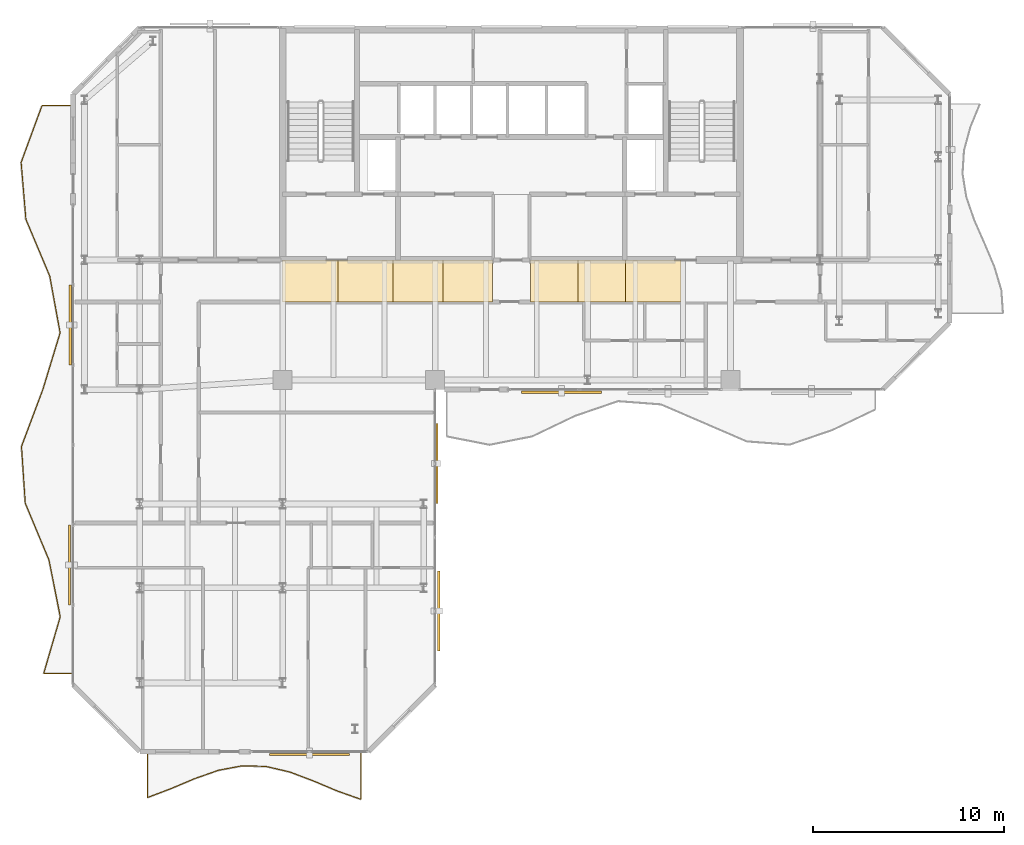
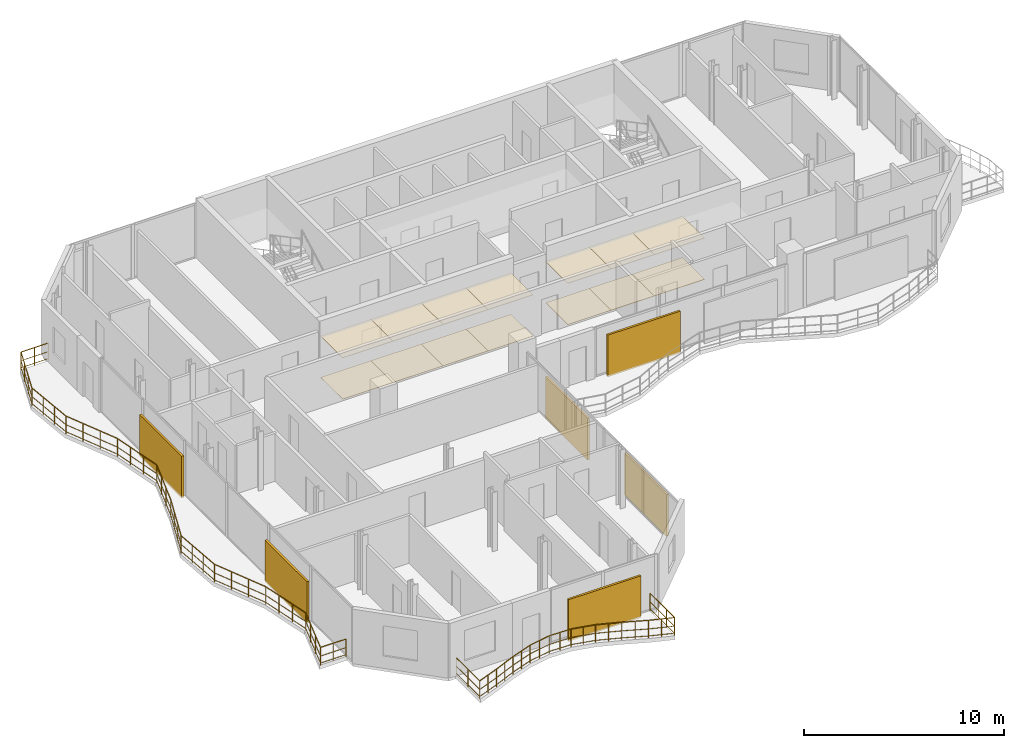
# One storey, part 21 of 23: 14 coverings, 6 shading devices, 2 railings.
"""IFC4 building model written with IfcOpenShell, lengths in metres."""

from ifc_helpers import new_model, si_unit, direction, frame, origin, origin_2d, place, context, subcontext, project, spatial, polyline, rectangle, circle, outline, extrude, material, layer, layer_set, type_object, element, save


model = new_model("IFC4")

# Units and contexts
model_context = context("Model", 3, precision=1e-05, world=origin(), true_north=direction((0.0, 1.0)))
body_context = subcontext(model_context, "Body", "Model", "MODEL_VIEW")
ifc_project = project(units=[si_unit("LENGTHUNIT", "METRE"), si_unit("AREAUNIT", "SQUARE_METRE"), si_unit("VOLUMEUNIT", "CUBIC_METRE"), si_unit("PLANEANGLEUNIT", "RADIAN"), si_unit("MASSUNIT", "GRAM", prefix="KILO")], contexts=[model_context])

# Site, building, storey
site_placement = place(None, origin())
site = spatial("IfcSite", under=ifc_project, at=site_placement, CompositionType="ELEMENT")
building_placement = place(site_placement, origin())
building = spatial("IfcBuilding", under=site, at=building_placement, Name="Catumbela Crestline Tower", CompositionType="ELEMENT")
storey_placement = place(building_placement, frame((0.0, 0.0, 193.8)))
storey = spatial("IfcBuildingStorey", under=building, at=storey_placement, Name="L50", CompositionType="ELEMENT", Elevation=193.8)

# Coverings
ifc_material_1 = material(Name="Mineral-fibre acoustic ceiling")
ifc_layer_1 = layer(ifc_material_1, 0.03, Name="Mineral-fibre acoustic ceiling")
ifc_layer_set_1 = layer_set([ifc_layer_1], Name="Mineral-fibre acoustic ceiling")
covering_type_1 = type_object("IfcCoveringType", Name="CC-AC", PredefinedType="CEILING", material=ifc_layer_set_1)
covering_1_placement = place(storey_placement, frame((0.0, 0.0, 2.52)))
element("IfcCovering", 1, at=covering_1_placement, inside=storey, type_object=covering_type_1, Name="L50 Corridor Acoustic Ceiling Bay 1", PredefinedType="CEILING", context=body_context, shape_type="SweptSolid", body=[
    extrude(outline(polyline([(16.0, 28.6), (18.9, 28.6), (18.9, 30.8), (16.0, 30.8), (16.0, 28.6)])), origin(), (0.0, 0.0, 1.0), 0.03),
])
covering_2_placement = place(storey_placement, frame((0.0, 0.0, 2.52)))
element("IfcCovering", 2, at=covering_2_placement, inside=storey, type_object=covering_type_1, Name="L50 Corridor Acoustic Ceiling Bay 2", PredefinedType="CEILING", context=body_context, shape_type="SweptSolid", body=[
    extrude(outline(polyline([(18.9, 28.6), (21.8, 28.6), (21.8, 30.8), (18.9, 30.8), (18.9, 28.6)])), origin(), (0.0, 0.0, 1.0), 0.03),
])
covering_3_placement = place(storey_placement, frame((0.0, 0.0, 2.52)))
element("IfcCovering", 3, at=covering_3_placement, inside=storey, type_object=covering_type_1, Name="L50 Corridor Acoustic Ceiling Bay 3", PredefinedType="CEILING", context=body_context, shape_type="SweptSolid", body=[
    extrude(outline(polyline([(21.8, 28.6), (24.4, 28.6), (24.4, 30.8), (21.8, 30.8), (21.8, 28.6)])), origin(), (0.0, 0.0, 1.0), 0.03),
])
covering_4_placement = place(storey_placement, frame((0.0, 0.0, 2.52)))
element("IfcCovering", 4, at=covering_4_placement, inside=storey, type_object=covering_type_1, Name="L50 Corridor Acoustic Ceiling Bay 4", PredefinedType="CEILING", context=body_context, shape_type="SweptSolid", body=[
    extrude(outline(polyline([(24.4, 28.6), (27.0, 28.6), (27.0, 30.8), (24.4, 30.8), (24.4, 28.6)])), origin(), (0.0, 0.0, 1.0), 0.03),
])
covering_5_placement = place(storey_placement, frame((0.0, 0.0, 2.52)))
element("IfcCovering", 5, at=covering_5_placement, inside=storey, type_object=covering_type_1, Name="L50 Corridor Acoustic Ceiling Bay 5", PredefinedType="CEILING", context=body_context, shape_type="SweptSolid", body=[
    extrude(outline(polyline([(29.0, 28.6), (31.5, 28.6), (31.5, 30.8), (29.0, 30.8), (29.0, 28.6)])), origin(), (0.0, 0.0, 1.0), 0.03),
])
covering_6_placement = place(storey_placement, frame((0.0, 0.0, 2.52)))
element("IfcCovering", 6, at=covering_6_placement, inside=storey, type_object=covering_type_1, Name="L50 Corridor Acoustic Ceiling Bay 6", PredefinedType="CEILING", context=body_context, shape_type="SweptSolid", body=[
    extrude(outline(polyline([(31.5, 28.6), (34.0, 28.6), (34.0, 30.8), (31.5, 30.8), (31.5, 28.6)])), origin(), (0.0, 0.0, 1.0), 0.03),
])
covering_7_placement = place(storey_placement, frame((0.0, 0.0, 2.52)))
element("IfcCovering", 7, at=covering_7_placement, inside=storey, type_object=covering_type_1, Name="L50 Corridor Acoustic Ceiling Bay 7", PredefinedType="CEILING", context=body_context, shape_type="SweptSolid", body=[
    extrude(outline(polyline([(34.0, 28.6), (36.9, 28.6), (36.9, 30.8), (34.0, 30.8), (34.0, 28.6)])), origin(), (0.0, 0.0, 1.0), 0.03),
])
ifc_material_2 = material(Name="Angolan grey-ochre granite", Category="masonry")
ifc_layer_2 = layer(ifc_material_2, 0.025, Name="Angolan grey-ochre granite")
ifc_layer_set_2 = layer_set([ifc_layer_2], Name="Angolan grey-ochre granite")
covering_type_2 = type_object("IfcCoveringType", Name="CF-GR", PredefinedType="FLOORING", material=ifc_layer_set_2)
covering_8_placement = place(storey_placement, origin())
element("IfcCovering", 8, at=covering_8_placement, inside=storey, type_object=covering_type_2, Name="L50 Corridor Granite Flooring Bay 1", PredefinedType="FLOORING", context=body_context, shape_type="SweptSolid", body=[
    extrude(outline(polyline([(16.0, 28.6), (18.9, 28.6), (18.9, 30.8), (16.0, 30.8), (16.0, 28.6)])), origin(), (0.0, 0.0, 1.0), 0.025),
])
covering_9_placement = place(storey_placement, origin())
element("IfcCovering", 9, at=covering_9_placement, inside=storey, type_object=covering_type_2, Name="L50 Corridor Granite Flooring Bay 2", PredefinedType="FLOORING", context=body_context, shape_type="SweptSolid", body=[
    extrude(outline(polyline([(18.9, 28.6), (21.8, 28.6), (21.8, 30.8), (18.9, 30.8), (18.9, 28.6)])), origin(), (0.0, 0.0, 1.0), 0.025),
])
covering_10_placement = place(storey_placement, origin())
element("IfcCovering", 10, at=covering_10_placement, inside=storey, type_object=covering_type_2, Name="L50 Corridor Granite Flooring Bay 3", PredefinedType="FLOORING", context=body_context, shape_type="SweptSolid", body=[
    extrude(outline(polyline([(21.8, 28.6), (24.4, 28.6), (24.4, 30.8), (21.8, 30.8), (21.8, 28.6)])), origin(), (0.0, 0.0, 1.0), 0.025),
])
covering_11_placement = place(storey_placement, origin())
element("IfcCovering", 11, at=covering_11_placement, inside=storey, type_object=covering_type_2, Name="L50 Corridor Granite Flooring Bay 4", PredefinedType="FLOORING", context=body_context, shape_type="SweptSolid", body=[
    extrude(outline(polyline([(24.4, 28.6), (27.0, 28.6), (27.0, 30.8), (24.4, 30.8), (24.4, 28.6)])), origin(), (0.0, 0.0, 1.0), 0.025),
])
covering_12_placement = place(storey_placement, origin())
element("IfcCovering", 12, at=covering_12_placement, inside=storey, type_object=covering_type_2, Name="L50 Corridor Granite Flooring Bay 5", PredefinedType="FLOORING", context=body_context, shape_type="SweptSolid", body=[
    extrude(outline(polyline([(29.0, 28.6), (31.5, 28.6), (31.5, 30.8), (29.0, 30.8), (29.0, 28.6)])), origin(), (0.0, 0.0, 1.0), 0.025),
])
covering_13_placement = place(storey_placement, origin())
element("IfcCovering", 13, at=covering_13_placement, inside=storey, type_object=covering_type_2, Name="L50 Corridor Granite Flooring Bay 6", PredefinedType="FLOORING", context=body_context, shape_type="SweptSolid", body=[
    extrude(outline(polyline([(31.5, 28.6), (34.0, 28.6), (34.0, 30.8), (31.5, 30.8), (31.5, 28.6)])), origin(), (0.0, 0.0, 1.0), 0.025),
])
covering_14_placement = place(storey_placement, origin())
element("IfcCovering", 14, at=covering_14_placement, inside=storey, type_object=covering_type_2, Name="L50 Corridor Granite Flooring Bay 7", PredefinedType="FLOORING", context=body_context, shape_type="SweptSolid", body=[
    extrude(outline(polyline([(34.0, 28.6), (36.9, 28.6), (36.9, 30.8), (34.0, 30.8), (34.0, 28.6)])), origin(), (0.0, 0.0, 1.0), 0.025),
])

# Railings
ifc_material_3 = material(Name="Stainless steel EN 1.4401", Category="steel")
railing_type = type_object("IfcRailingType", Name="RB-1100", PredefinedType="BALUSTRADE", material=ifc_material_3)
railing_1_placement = place(storey_placement, frame((8.9, 4.94, 0.0)))
element("IfcRailing", 15, at=railing_1_placement, inside=storey, type_object=railing_type, Name="L50 Private Wave Balcony Balustrade 3", PredefinedType="BALUSTRADE", context=body_context, shape_type="SweptSolid", body=[
    extrude(circle(Radius=0.024, at=origin_2d()), frame((0.0, 0.0, 1.076), z_axis=(0.0, -1.0, 0.0), x_axis=(1.0, 0.0, 0.0)), (0.0, 0.0, 1.0), 2.3474),
    extrude(circle(Radius=0.0156, at=origin_2d()), frame((0.0, 0.0, 0.55), z_axis=(0.0, -1.0, 0.0), x_axis=(1.0, 0.0, 0.0)), (0.0, 0.0, 1.0), 2.3474),
    extrude(circle(Radius=0.0156, at=origin_2d()), frame((0.0, 0.0, 0.12), z_axis=(0.0, -1.0, 0.0), x_axis=(1.0, 0.0, 0.0)), (0.0, 0.0, 1.0), 2.3474),
    extrude(circle(Radius=0.024, at=origin_2d()), frame((0.0, -2.3474, 1.076), z_axis=(0.934801539035, 0.355170497955, 0.0), x_axis=(-0.355170497955, 0.934801539035, 0.0)), (0.0, 0.0, 1.0), 1.3312),
    extrude(circle(Radius=0.0156, at=origin_2d()), frame((0.0, -2.3474, 0.55), z_axis=(0.934801539035, 0.355170497955, 0.0), x_axis=(-0.355170497955, 0.934801539035, 0.0)), (0.0, 0.0, 1.0), 1.3312),
    extrude(circle(Radius=0.0156, at=origin_2d()), frame((0.0, -2.3474, 0.12), z_axis=(0.934801539035, 0.355170497955, 0.0), x_axis=(-0.355170497955, 0.934801539035, 0.0)), (0.0, 0.0, 1.0), 1.3312),
    extrude(circle(Radius=0.024, at=origin_2d()), frame((1.2444, -1.8746, 1.076), z_axis=(0.921529408365, 0.388308575128, 0.0), x_axis=(-0.388308575128, 0.921529408365, 0.0)), (0.0, 0.0, 1.0), 1.3505),
    extrude(circle(Radius=0.0156, at=origin_2d()), frame((1.2444, -1.8746, 0.55), z_axis=(0.921529408365, 0.388308575128, 0.0), x_axis=(-0.388308575128, 0.921529408365, 0.0)), (0.0, 0.0, 1.0), 1.3505),
    extrude(circle(Radius=0.0156, at=origin_2d()), frame((1.2444, -1.8746, 0.12), z_axis=(0.921529408365, 0.388308575128, 0.0), x_axis=(-0.388308575128, 0.921529408365, 0.0)), (0.0, 0.0, 1.0), 1.3505),
    extrude(circle(Radius=0.024, at=origin_2d()), frame((2.4889, -1.3502, 1.076), z_axis=(0.943536380972, 0.331268920642, 0.0), x_axis=(-0.331268920642, 0.943536380972, 0.0)), (0.0, 0.0, 1.0), 1.3189),
    extrude(circle(Radius=0.0156, at=origin_2d()), frame((2.4889, -1.3502, 0.55), z_axis=(0.943536380972, 0.331268920642, 0.0), x_axis=(-0.331268920642, 0.943536380972, 0.0)), (0.0, 0.0, 1.0), 1.3189),
    extrude(circle(Radius=0.0156, at=origin_2d()), frame((2.4889, -1.3502, 0.12), z_axis=(0.943536380972, 0.331268920642, 0.0), x_axis=(-0.331268920642, 0.943536380972, 0.0)), (0.0, 0.0, 1.0), 1.3189),
    extrude(circle(Radius=0.024, at=origin_2d()), frame((3.7333, -0.9133, 1.076), z_axis=(0.982892745139, 0.184178857506, 0.0), x_axis=(-0.184178857506, 0.982892745139, 0.0)), (0.0, 0.0, 1.0), 1.2662),
    extrude(circle(Radius=0.0156, at=origin_2d()), frame((3.7333, -0.9133, 0.55), z_axis=(0.982892745139, 0.184178857506, 0.0), x_axis=(-0.184178857506, 0.982892745139, 0.0)), (0.0, 0.0, 1.0), 1.2662),
    extrude(circle(Radius=0.0156, at=origin_2d()), frame((3.7333, -0.9133, 0.12), z_axis=(0.982892745139, 0.184178857506, 0.0), x_axis=(-0.184178857506, 0.982892745139, 0.0)), (0.0, 0.0, 1.0), 1.2662),
    extrude(circle(Radius=0.024, at=origin_2d()), frame((4.9778, -0.6801, 1.076), z_axis=(0.999661218817, -0.026027823441, 0.0), x_axis=(0.026027823441, 0.999661218817, 0.0)), (0.0, 0.0, 1.0), 1.2448),
    extrude(circle(Radius=0.0156, at=origin_2d()), frame((4.9778, -0.6801, 0.55), z_axis=(0.999661218817, -0.026027823441, 0.0), x_axis=(0.026027823441, 0.999661218817, 0.0)), (0.0, 0.0, 1.0), 1.2448),
    extrude(circle(Radius=0.0156, at=origin_2d()), frame((4.9778, -0.6801, 0.12), z_axis=(0.999661218817, -0.026027823441, 0.0), x_axis=(0.026027823441, 0.999661218817, 0.0)), (0.0, 0.0, 1.0), 1.2448),
    extrude(circle(Radius=0.024, at=origin_2d()), frame((6.2222, -0.7125, 1.076), z_axis=(0.974011239471, -0.226499680758, 0.0), x_axis=(0.226499680758, 0.974011239471, 0.0)), (0.0, 0.0, 1.0), 1.2777),
    extrude(circle(Radius=0.0156, at=origin_2d()), frame((6.2222, -0.7125, 0.55), z_axis=(0.974011239471, -0.226499680758, 0.0), x_axis=(0.226499680758, 0.974011239471, 0.0)), (0.0, 0.0, 1.0), 1.2777),
    extrude(circle(Radius=0.0156, at=origin_2d()), frame((6.2222, -0.7125, 0.12), z_axis=(0.974011239471, -0.226499680758, 0.0), x_axis=(0.226499680758, 0.974011239471, 0.0)), (0.0, 0.0, 1.0), 1.2777),
    extrude(circle(Radius=0.024, at=origin_2d()), frame((7.4667, -1.0019, 1.076), z_axis=(0.935622804223, -0.35300137141, 0.0), x_axis=(0.35300137141, 0.935622804223, 0.0)), (0.0, 0.0, 1.0), 1.33),
    extrude(circle(Radius=0.0156, at=origin_2d()), frame((7.4667, -1.0019, 0.55), z_axis=(0.935622804223, -0.35300137141, 0.0), x_axis=(0.35300137141, 0.935622804223, 0.0)), (0.0, 0.0, 1.0), 1.33),
    extrude(circle(Radius=0.0156, at=origin_2d()), frame((7.4667, -1.0019, 0.12), z_axis=(0.935622804223, -0.35300137141, 0.0), x_axis=(0.35300137141, 0.935622804223, 0.0)), (0.0, 0.0, 1.0), 1.33),
    extrude(circle(Radius=0.024, at=origin_2d()), frame((8.7111, -1.4714, 1.076), z_axis=(0.921396887645, -0.388622921916, 0.0), x_axis=(0.388622921916, 0.921396887645, 0.0)), (0.0, 0.0, 1.0), 1.3507),
    extrude(circle(Radius=0.0156, at=origin_2d()), frame((8.7111, -1.4714, 0.55), z_axis=(0.921396887645, -0.388622921916, 0.0), x_axis=(0.388622921916, 0.921396887645, 0.0)), (0.0, 0.0, 1.0), 1.3507),
    extrude(circle(Radius=0.0156, at=origin_2d()), frame((8.7111, -1.4714, 0.12), z_axis=(0.921396887645, -0.388622921916, 0.0), x_axis=(0.388622921916, 0.921396887645, 0.0)), (0.0, 0.0, 1.0), 1.3507),
    extrude(circle(Radius=0.024, at=origin_2d()), frame((9.9556, -1.9963, 1.076), z_axis=(0.94258550336, -0.333964921594, 0.0), x_axis=(0.333964921594, 0.94258550336, 0.0)), (0.0, 0.0, 1.0), 1.3202),
    extrude(circle(Radius=0.0156, at=origin_2d()), frame((9.9556, -1.9963, 0.55), z_axis=(0.94258550336, -0.333964921594, 0.0), x_axis=(0.333964921594, 0.94258550336, 0.0)), (0.0, 0.0, 1.0), 1.3202),
    extrude(circle(Radius=0.0156, at=origin_2d()), frame((9.9556, -1.9963, 0.12), z_axis=(0.94258550336, -0.333964921594, 0.0), x_axis=(0.333964921594, 0.94258550336, 0.0)), (0.0, 0.0, 1.0), 1.3202),
    extrude(circle(Radius=0.024, at=origin_2d()), frame((11.2, -2.4372, 1.076), z_axis=(0.0, 1.0, 0.0), x_axis=(-1.0, 0.0, 0.0)), (0.0, 0.0, 1.0), 2.4372),
    extrude(circle(Radius=0.0156, at=origin_2d()), frame((11.2, -2.4372, 0.55), z_axis=(0.0, 1.0, 0.0), x_axis=(-1.0, 0.0, 0.0)), (0.0, 0.0, 1.0), 2.4372),
    extrude(circle(Radius=0.0156, at=origin_2d()), frame((11.2, -2.4372, 0.12), z_axis=(0.0, 1.0, 0.0), x_axis=(-1.0, 0.0, 0.0)), (0.0, 0.0, 1.0), 2.4372),
    extrude(circle(Radius=0.021, at=origin_2d()), origin(), (0.0, 0.0, 1.0), 1.052),
    extrude(circle(Radius=0.021, at=origin_2d()), frame((0.0, -1.1737, 0.0)), (0.0, 0.0, 1.0), 1.052),
    extrude(circle(Radius=0.021, at=origin_2d()), frame((0.0, -2.3474, 0.0)), (0.0, 0.0, 1.0), 1.052),
    extrude(circle(Radius=0.021, at=origin_2d()), frame((0.6222, -2.111, 0.0)), (0.0, 0.0, 1.0), 1.052),
    extrude(circle(Radius=0.021, at=origin_2d()), frame((1.2444, -1.8746, 0.0)), (0.0, 0.0, 1.0), 1.052),
    extrude(circle(Radius=0.021, at=origin_2d()), frame((1.8666, -1.6124, 0.0)), (0.0, 0.0, 1.0), 1.052),
    extrude(circle(Radius=0.021, at=origin_2d()), frame((2.4889, -1.3502, 0.0)), (0.0, 0.0, 1.0), 1.052),
    extrude(circle(Radius=0.021, at=origin_2d()), frame((3.1111, -1.1318, 0.0)), (0.0, 0.0, 1.0), 1.052),
    extrude(circle(Radius=0.021, at=origin_2d()), frame((3.7333, -0.9133, 0.0)), (0.0, 0.0, 1.0), 1.052),
    extrude(circle(Radius=0.021, at=origin_2d()), frame((4.3556, -0.7967, 0.0)), (0.0, 0.0, 1.0), 1.052),
    extrude(circle(Radius=0.021, at=origin_2d()), frame((4.9778, -0.6801, 0.0)), (0.0, 0.0, 1.0), 1.052),
    extrude(circle(Radius=0.021, at=origin_2d()), frame((5.6, -0.6963, 0.0)), (0.0, 0.0, 1.0), 1.052),
    extrude(circle(Radius=0.021, at=origin_2d()), frame((6.2222, -0.7125, 0.0)), (0.0, 0.0, 1.0), 1.052),
    extrude(circle(Radius=0.021, at=origin_2d()), frame((6.8444, -0.8572, 0.0)), (0.0, 0.0, 1.0), 1.052),
    extrude(circle(Radius=0.021, at=origin_2d()), frame((7.4667, -1.0019, 0.0)), (0.0, 0.0, 1.0), 1.052),
    extrude(circle(Radius=0.021, at=origin_2d()), frame((8.0889, -1.2367, 0.0)), (0.0, 0.0, 1.0), 1.052),
    extrude(circle(Radius=0.021, at=origin_2d()), frame((8.7111, -1.4714, 0.0)), (0.0, 0.0, 1.0), 1.052),
    extrude(circle(Radius=0.021, at=origin_2d()), frame((9.3334, -1.7339, 0.0)), (0.0, 0.0, 1.0), 1.052),
    extrude(circle(Radius=0.021, at=origin_2d()), frame((9.9556, -1.9963, 0.0)), (0.0, 0.0, 1.0), 1.052),
    extrude(circle(Radius=0.021, at=origin_2d()), frame((10.5778, -2.2168, 0.0)), (0.0, 0.0, 1.0), 1.052),
    extrude(circle(Radius=0.021, at=origin_2d()), frame((11.2, -2.4372, 0.0)), (0.0, 0.0, 1.0), 1.052),
    extrude(circle(Radius=0.021, at=origin_2d()), frame((11.2, -1.6248, 0.0)), (0.0, 0.0, 1.0), 1.052),
    extrude(circle(Radius=0.021, at=origin_2d()), frame((11.2, -0.8124, 0.0)), (0.0, 0.0, 1.0), 1.052),
    extrude(circle(Radius=0.021, at=origin_2d()), frame((11.2, 0.0, 0.0)), (0.0, 0.0, 1.0), 1.052),
])
railing_2_placement = place(storey_placement, frame((4.94, 38.9, 0.0)))
element("IfcRailing", 16, at=railing_2_placement, inside=storey, type_object=railing_type, Name="L50 Private Wave Balcony Balustrade 4", PredefinedType="BALUSTRADE", context=body_context, shape_type="SweptSolid", body=[
    extrude(circle(Radius=0.024, at=origin_2d()), frame((0.0, 0.0, 1.076), z_axis=(-1.0, 0.0, 0.0), x_axis=(0.0, -1.0, 0.0)), (0.0, 0.0, 1.0), 1.569),
    extrude(circle(Radius=0.0156, at=origin_2d()), frame((0.0, 0.0, 0.55), z_axis=(-1.0, 0.0, 0.0), x_axis=(0.0, -1.0, 0.0)), (0.0, 0.0, 1.0), 1.569),
    extrude(circle(Radius=0.0156, at=origin_2d()), frame((0.0, 0.0, 0.12), z_axis=(-1.0, 0.0, 0.0), x_axis=(0.0, -1.0, 0.0)), (0.0, 0.0, 1.0), 1.569),
    extrude(circle(Radius=0.024, at=origin_2d()), frame((-1.569, 0.0, 1.076), z_axis=(-0.344819161889, -0.938669135316, 0.0), x_axis=(0.938669135316, -0.344819161889, 0.0)), (0.0, 0.0, 1.0), 3.1747),
    extrude(circle(Radius=0.0156, at=origin_2d()), frame((-1.569, 0.0, 0.55), z_axis=(-0.344819161889, -0.938669135316, 0.0), x_axis=(0.938669135316, -0.344819161889, 0.0)), (0.0, 0.0, 1.0), 3.1747),
    extrude(circle(Radius=0.0156, at=origin_2d()), frame((-1.569, 0.0, 0.12), z_axis=(-0.344819161889, -0.938669135316, 0.0), x_axis=(0.938669135316, -0.344819161889, 0.0)), (0.0, 0.0, 1.0), 3.1747),
    extrude(circle(Radius=0.024, at=origin_2d()), frame((-2.6637, -2.98, 1.076), z_axis=(0.083300085581, -0.99652450835, 0.0), x_axis=(0.99652450835, 0.083300085581, 0.0)), (0.0, 0.0, 1.0), 2.9904),
    extrude(circle(Radius=0.0156, at=origin_2d()), frame((-2.6637, -2.98, 0.55), z_axis=(0.083300085581, -0.99652450835, 0.0), x_axis=(0.99652450835, 0.083300085581, 0.0)), (0.0, 0.0, 1.0), 2.9904),
    extrude(circle(Radius=0.0156, at=origin_2d()), frame((-2.6637, -2.98, 0.12), z_axis=(0.083300085581, -0.99652450835, 0.0), x_axis=(0.99652450835, 0.083300085581, 0.0)), (0.0, 0.0, 1.0), 2.9904),
    extrude(circle(Radius=0.024, at=origin_2d()), frame((-2.4146, -5.96, 1.076), z_axis=(0.387495434342, -0.921871622496, 0.0), x_axis=(0.921871622496, 0.387495434342, 0.0)), (0.0, 0.0, 1.0), 3.2326),
    extrude(circle(Radius=0.0156, at=origin_2d()), frame((-2.4146, -5.96, 0.55), z_axis=(0.387495434342, -0.921871622496, 0.0), x_axis=(0.921871622496, 0.387495434342, 0.0)), (0.0, 0.0, 1.0), 3.2326),
    extrude(circle(Radius=0.0156, at=origin_2d()), frame((-2.4146, -5.96, 0.12), z_axis=(0.387495434342, -0.921871622496, 0.0), x_axis=(0.921871622496, 0.387495434342, 0.0)), (0.0, 0.0, 1.0), 3.2326),
    extrude(circle(Radius=0.024, at=origin_2d()), frame((-1.162, -8.94, 1.076), z_axis=(0.179902036769, -0.983684531324, 0.0), x_axis=(0.983684531324, 0.179902036769, 0.0)), (0.0, 0.0, 1.0), 3.0294),
    extrude(circle(Radius=0.0156, at=origin_2d()), frame((-1.162, -8.94, 0.55), z_axis=(0.179902036769, -0.983684531324, 0.0), x_axis=(0.983684531324, 0.179902036769, 0.0)), (0.0, 0.0, 1.0), 3.0294),
    extrude(circle(Radius=0.0156, at=origin_2d()), frame((-1.162, -8.94, 0.12), z_axis=(0.179902036769, -0.983684531324, 0.0), x_axis=(0.983684531324, 0.179902036769, 0.0)), (0.0, 0.0, 1.0), 3.0294),
    extrude(circle(Radius=0.024, at=origin_2d()), frame((-0.617, -11.92, 1.076), z_axis=(-0.291203771148, -0.95666104952, 0.0), x_axis=(0.95666104952, -0.291203771148, 0.0)), (0.0, 0.0, 1.0), 3.115),
    extrude(circle(Radius=0.0156, at=origin_2d()), frame((-0.617, -11.92, 0.55), z_axis=(-0.291203771148, -0.95666104952, 0.0), x_axis=(0.95666104952, -0.291203771148, 0.0)), (0.0, 0.0, 1.0), 3.115),
    extrude(circle(Radius=0.0156, at=origin_2d()), frame((-0.617, -11.92, 0.12), z_axis=(-0.291203771148, -0.95666104952, 0.0), x_axis=(0.95666104952, -0.291203771148, 0.0)), (0.0, 0.0, 1.0), 3.115),
    extrude(circle(Radius=0.024, at=origin_2d()), frame((-1.5241, -14.9, 1.076), z_axis=(-0.35183934725, -0.936060400683, 0.0), x_axis=(0.936060400683, -0.35183934725, 0.0)), (0.0, 0.0, 1.0), 3.1836),
    extrude(circle(Radius=0.0156, at=origin_2d()), frame((-1.5241, -14.9, 0.55), z_axis=(-0.35183934725, -0.936060400683, 0.0), x_axis=(0.936060400683, -0.35183934725, 0.0)), (0.0, 0.0, 1.0), 3.1836),
    extrude(circle(Radius=0.0156, at=origin_2d()), frame((-1.5241, -14.9, 0.12), z_axis=(-0.35183934725, -0.936060400683, 0.0), x_axis=(0.936060400683, -0.35183934725, 0.0)), (0.0, 0.0, 1.0), 3.1836),
    extrude(circle(Radius=0.024, at=origin_2d()), frame((-2.6442, -17.88, 1.076), z_axis=(0.065996741667, -0.997819838493, 0.0), x_axis=(0.997819838493, 0.065996741667, 0.0)), (0.0, 0.0, 1.0), 2.9865),
    extrude(circle(Radius=0.0156, at=origin_2d()), frame((-2.6442, -17.88, 0.55), z_axis=(0.065996741667, -0.997819838493, 0.0), x_axis=(0.997819838493, 0.065996741667, 0.0)), (0.0, 0.0, 1.0), 2.9865),
    extrude(circle(Radius=0.0156, at=origin_2d()), frame((-2.6442, -17.88, 0.12), z_axis=(0.065996741667, -0.997819838493, 0.0), x_axis=(0.997819838493, 0.065996741667, 0.0)), (0.0, 0.0, 1.0), 2.9865),
    extrude(circle(Radius=0.024, at=origin_2d()), frame((-2.4471, -20.86, 1.076), z_axis=(0.385494644626, -0.922710073081, 0.0), x_axis=(0.922710073081, 0.385494644626, 0.0)), (0.0, 0.0, 1.0), 3.2296),
    extrude(circle(Radius=0.0156, at=origin_2d()), frame((-2.4471, -20.86, 0.55), z_axis=(0.385494644626, -0.922710073081, 0.0), x_axis=(0.922710073081, 0.385494644626, 0.0)), (0.0, 0.0, 1.0), 3.2296),
    extrude(circle(Radius=0.0156, at=origin_2d()), frame((-2.4471, -20.86, 0.12), z_axis=(0.385494644626, -0.922710073081, 0.0), x_axis=(0.922710073081, 0.385494644626, 0.0)), (0.0, 0.0, 1.0), 3.2296),
    extrude(circle(Radius=0.024, at=origin_2d()), frame((-1.2021, -23.84, 1.076), z_axis=(0.194913381251, -0.980820459518, 0.0), x_axis=(0.980820459518, 0.194913381251, 0.0)), (0.0, 0.0, 1.0), 3.0383),
    extrude(circle(Radius=0.0156, at=origin_2d()), frame((-1.2021, -23.84, 0.55), z_axis=(0.194913381251, -0.980820459518, 0.0), x_axis=(0.980820459518, 0.194913381251, 0.0)), (0.0, 0.0, 1.0), 3.0383),
    extrude(circle(Radius=0.0156, at=origin_2d()), frame((-1.2021, -23.84, 0.12), z_axis=(0.194913381251, -0.980820459518, 0.0), x_axis=(0.980820459518, 0.194913381251, 0.0)), (0.0, 0.0, 1.0), 3.0383),
    extrude(circle(Radius=0.024, at=origin_2d()), frame((-0.6099, -26.82, 1.076), z_axis=(-0.280128645342, -0.959962469089, 0.0), x_axis=(0.959962469089, -0.280128645342, 0.0)), (0.0, 0.0, 1.0), 3.1043),
    extrude(circle(Radius=0.0156, at=origin_2d()), frame((-0.6099, -26.82, 0.55), z_axis=(-0.280128645342, -0.959962469089, 0.0), x_axis=(0.959962469089, -0.280128645342, 0.0)), (0.0, 0.0, 1.0), 3.1043),
    extrude(circle(Radius=0.0156, at=origin_2d()), frame((-0.6099, -26.82, 0.12), z_axis=(-0.280128645342, -0.959962469089, 0.0), x_axis=(0.959962469089, -0.280128645342, 0.0)), (0.0, 0.0, 1.0), 3.1043),
    extrude(circle(Radius=0.024, at=origin_2d()), frame((-1.4795, -29.8, 1.076), z_axis=(1.0, 0.0, 0.0), x_axis=(0.0, 1.0, 0.0)), (0.0, 0.0, 1.0), 1.4795),
    extrude(circle(Radius=0.0156, at=origin_2d()), frame((-1.4795, -29.8, 0.55), z_axis=(1.0, 0.0, 0.0), x_axis=(0.0, 1.0, 0.0)), (0.0, 0.0, 1.0), 1.4795),
    extrude(circle(Radius=0.0156, at=origin_2d()), frame((-1.4795, -29.8, 0.12), z_axis=(1.0, 0.0, 0.0), x_axis=(0.0, 1.0, 0.0)), (0.0, 0.0, 1.0), 1.4795),
    extrude(circle(Radius=0.021, at=origin_2d()), origin(), (0.0, 0.0, 1.0), 1.052),
    extrude(circle(Radius=0.021, at=origin_2d()), frame((-0.7845, 0.0, 0.0)), (0.0, 0.0, 1.0), 1.052),
    extrude(circle(Radius=0.021, at=origin_2d()), frame((-1.569, 0.0, 0.0)), (0.0, 0.0, 1.0), 1.052),
    extrude(circle(Radius=0.021, at=origin_2d()), frame((-1.9339, -0.9933, 0.0)), (0.0, 0.0, 1.0), 1.052),
    extrude(circle(Radius=0.021, at=origin_2d()), frame((-2.2988, -1.9867, 0.0)), (0.0, 0.0, 1.0), 1.052),
    extrude(circle(Radius=0.021, at=origin_2d()), frame((-2.6637, -2.98, 0.0)), (0.0, 0.0, 1.0), 1.052),
    extrude(circle(Radius=0.021, at=origin_2d()), frame((-2.5807, -3.9733, 0.0)), (0.0, 0.0, 1.0), 1.052),
    extrude(circle(Radius=0.021, at=origin_2d()), frame((-2.4976, -4.9667, 0.0)), (0.0, 0.0, 1.0), 1.052),
    extrude(circle(Radius=0.021, at=origin_2d()), frame((-2.4146, -5.96, 0.0)), (0.0, 0.0, 1.0), 1.052),
    extrude(circle(Radius=0.021, at=origin_2d()), frame((-1.9971, -6.9533, 0.0)), (0.0, 0.0, 1.0), 1.052),
    extrude(circle(Radius=0.021, at=origin_2d()), frame((-1.5795, -7.9467, 0.0)), (0.0, 0.0, 1.0), 1.052),
    extrude(circle(Radius=0.021, at=origin_2d()), frame((-1.162, -8.94, 0.0)), (0.0, 0.0, 1.0), 1.052),
    extrude(circle(Radius=0.021, at=origin_2d()), frame((-0.9803, -9.9333, 0.0)), (0.0, 0.0, 1.0), 1.052),
    extrude(circle(Radius=0.021, at=origin_2d()), frame((-0.7987, -10.9267, 0.0)), (0.0, 0.0, 1.0), 1.052),
    extrude(circle(Radius=0.021, at=origin_2d()), frame((-0.617, -11.92, 0.0)), (0.0, 0.0, 1.0), 1.052),
    extrude(circle(Radius=0.021, at=origin_2d()), frame((-0.9194, -12.9133, 0.0)), (0.0, 0.0, 1.0), 1.052),
    extrude(circle(Radius=0.021, at=origin_2d()), frame((-1.2217, -13.9067, 0.0)), (0.0, 0.0, 1.0), 1.052),
    extrude(circle(Radius=0.021, at=origin_2d()), frame((-1.5241, -14.9, 0.0)), (0.0, 0.0, 1.0), 1.052),
    extrude(circle(Radius=0.021, at=origin_2d()), frame((-1.8975, -15.8933, 0.0)), (0.0, 0.0, 1.0), 1.052),
    extrude(circle(Radius=0.021, at=origin_2d()), frame((-2.2708, -16.8867, 0.0)), (0.0, 0.0, 1.0), 1.052),
    extrude(circle(Radius=0.021, at=origin_2d()), frame((-2.6442, -17.88, 0.0)), (0.0, 0.0, 1.0), 1.052),
    extrude(circle(Radius=0.021, at=origin_2d()), frame((-2.5785, -18.8733, 0.0)), (0.0, 0.0, 1.0), 1.052),
    extrude(circle(Radius=0.021, at=origin_2d()), frame((-2.5128, -19.8667, 0.0)), (0.0, 0.0, 1.0), 1.052),
    extrude(circle(Radius=0.021, at=origin_2d()), frame((-2.4471, -20.86, 0.0)), (0.0, 0.0, 1.0), 1.052),
    extrude(circle(Radius=0.021, at=origin_2d()), frame((-2.0321, -21.8533, 0.0)), (0.0, 0.0, 1.0), 1.052),
    extrude(circle(Radius=0.021, at=origin_2d()), frame((-1.6171, -22.8467, 0.0)), (0.0, 0.0, 1.0), 1.052),
    extrude(circle(Radius=0.021, at=origin_2d()), frame((-1.2021, -23.84, 0.0)), (0.0, 0.0, 1.0), 1.052),
    extrude(circle(Radius=0.021, at=origin_2d()), frame((-1.0047, -24.8333, 0.0)), (0.0, 0.0, 1.0), 1.052),
    extrude(circle(Radius=0.021, at=origin_2d()), frame((-0.8073, -25.8267, 0.0)), (0.0, 0.0, 1.0), 1.052),
    extrude(circle(Radius=0.021, at=origin_2d()), frame((-0.6099, -26.82, 0.0)), (0.0, 0.0, 1.0), 1.052),
    extrude(circle(Radius=0.021, at=origin_2d()), frame((-0.8998, -27.8133, 0.0)), (0.0, 0.0, 1.0), 1.052),
    extrude(circle(Radius=0.021, at=origin_2d()), frame((-1.1896, -28.8067, 0.0)), (0.0, 0.0, 1.0), 1.052),
    extrude(circle(Radius=0.021, at=origin_2d()), frame((-1.4795, -29.8, 0.0)), (0.0, 0.0, 1.0), 1.052),
    extrude(circle(Radius=0.021, at=origin_2d()), frame((-0.7398, -29.8, 0.0)), (0.0, 0.0, 1.0), 1.052),
    extrude(circle(Radius=0.021, at=origin_2d()), frame((0.0, -29.8, 0.0)), (0.0, 0.0, 1.0), 1.052),
])

# Shading devices
ifc_material_4 = material(Name="Extruded terracotta ceramic", Category="masonry")
shading_device_type_1 = type_object("IfcShadingDeviceType", Name="ST-180", PredefinedType="USERDEFINED", material=ifc_material_4)
shading_device_placement = place(storey_placement, frame((24.099, 20.125, -0.1), z_axis=(0.0, 0.0, 1.0), x_axis=(0.0, 1.0, 0.0)))
element("IfcShadingDevice", 17, at=shading_device_placement, inside=storey, type_object=shading_device_type_1, Name="L50 Perforated Terracotta Solar Screen 594 (180 mm)", ObjectType="SCREEN", PredefinedType="USERDEFINED", context=body_context, shape_type="SweptSolid", body=[
    extrude(rectangle(XDim=4.2, YDim=0.12, at=origin_2d()), origin(), (0.0, 0.0, 1.0), 2.55),
])
shading_device_type_2 = type_object("IfcShadingDeviceType", Name="ST-260", PredefinedType="USERDEFINED", material=ifc_material_4)
for number, where, z_axis, x_axis, name in (
    (18, (17.4, 4.857, -0.1), (0.0, 0.0, 1.0), (1.0, 0.0, 0.0), "L50 Perforated Terracotta Solar Screen 592 (260 mm)"),
    (19, (30.6375, 23.857, -0.1), (0.0, 0.0, 1.0), (1.0, 0.0, 0.0), "L50 Perforated Terracotta Solar Screen 595 (260 mm)"),
    (20, (4.857, 27.4, -0.1), (0.0, 0.0, 1.0), (0.0, -1.0, 0.0), "L50 Perforated Terracotta Solar Screen 601 (260 mm)"),
):
    element("IfcShadingDevice", number, at=place(storey_placement, frame(where, z_axis=z_axis, x_axis=x_axis)), inside=storey, type_object=shading_device_type_2, Name=name, ObjectType="SCREEN", PredefinedType="USERDEFINED", context=body_context, shape_type="SweptSolid", body=[
        extrude(rectangle(XDim=4.2, YDim=0.12, at=origin_2d()), origin(), (0.0, 0.0, 1.0), 2.55),
    ])
shading_device_type_3 = type_object("IfcShadingDeviceType", Name="ST-340", PredefinedType="USERDEFINED", material=ifc_material_4)
for number, where, z_axis, x_axis, name in (
    (21, (24.187, 12.375, -0.1), (0.0, 0.0, 1.0), (0.0, 1.0, 0.0), "L50 Perforated Terracotta Solar Screen 593 (340 mm)"),
    (22, (4.813, 14.8, -0.1), (0.0, 0.0, 1.0), (0.0, -1.0, 0.0), "L50 Perforated Terracotta Solar Screen 602 (340 mm)"),
):
    element("IfcShadingDevice", number, at=place(storey_placement, frame(where, z_axis=z_axis, x_axis=x_axis)), inside=storey, type_object=shading_device_type_3, Name=name, ObjectType="SCREEN", PredefinedType="USERDEFINED", context=body_context, shape_type="SweptSolid", body=[
        extrude(rectangle(XDim=4.2, YDim=0.12, at=origin_2d()), origin(), (0.0, 0.0, 1.0), 2.55),
    ])

save(model, "model.ifc")
